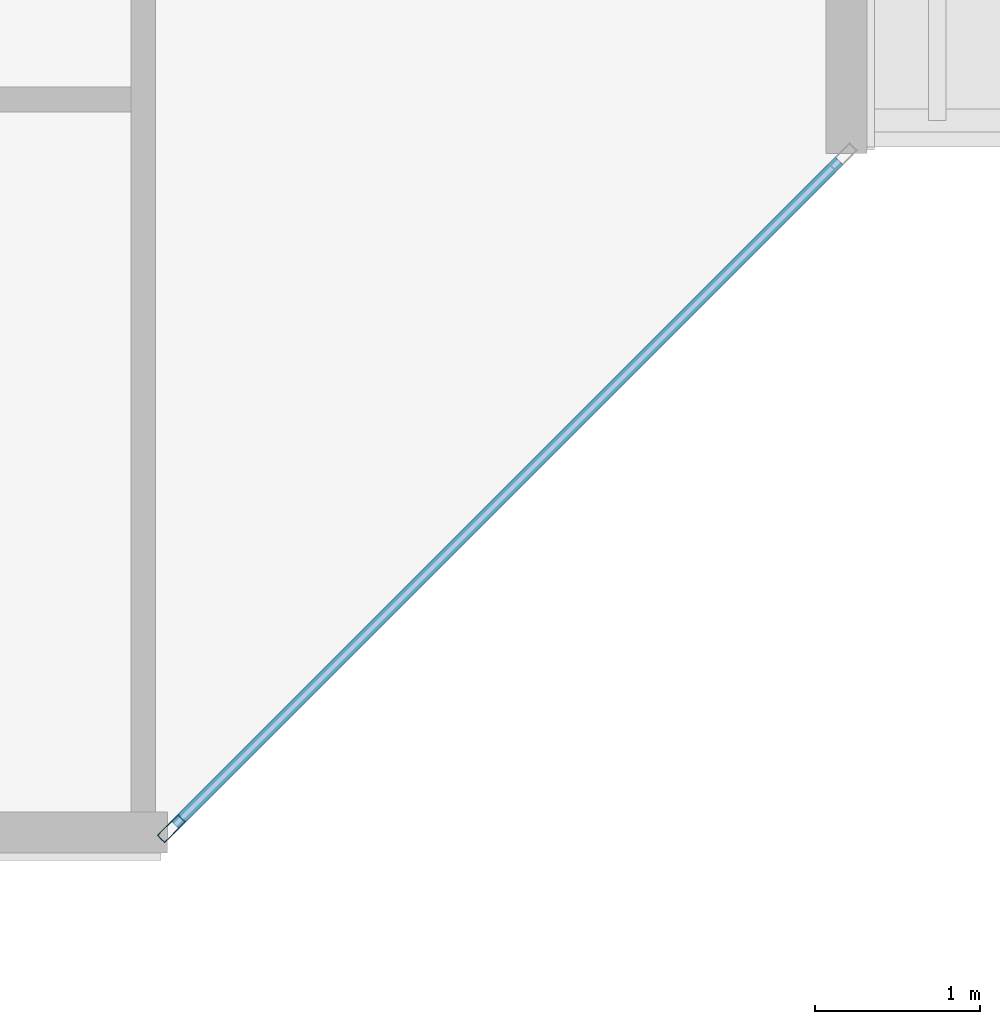
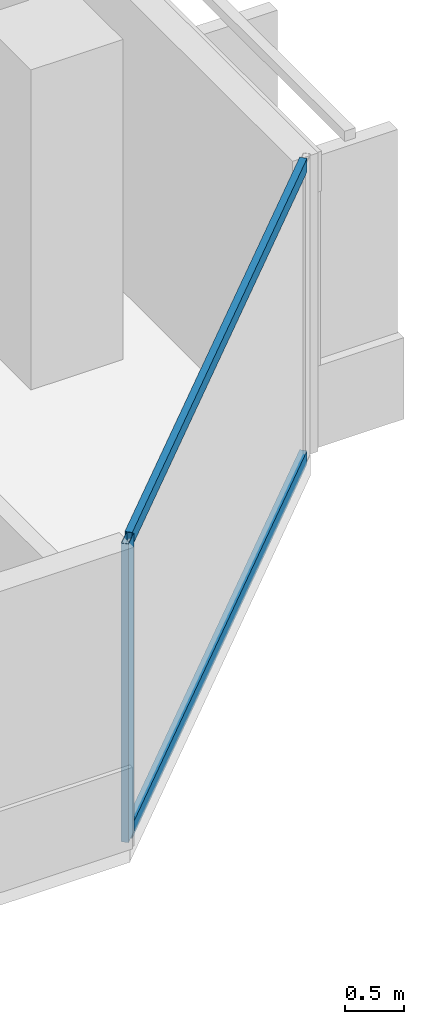
# One storey, part 13 of 29: 3 members, 1 element without a shape of its own.
"""IFC4 building model written with IfcOpenShell, lengths in metres."""

from ifc_helpers import new_model, si_unit, direction, frame, origin, origin_2d, place, context, subcontext, project, spatial, hollow_rectangle, extrude, material, layer, layer_set, material_profile, profile_set, type_object, element, aggregate, save


model = new_model("IFC4")

# Units and contexts
model_context = context("Model", 3, precision=1e-05, world=origin(), true_north=direction((0.0, 1.0)))
body_context = subcontext(model_context, "Body", "Model", "MODEL_VIEW")
ifc_project = project(units=[si_unit("LENGTHUNIT", "METRE"), si_unit("AREAUNIT", "SQUARE_METRE"), si_unit("VOLUMEUNIT", "CUBIC_METRE"), si_unit("PLANEANGLEUNIT", "RADIAN"), si_unit("MASSUNIT", "GRAM", prefix="KILO")], contexts=[model_context])

# Site, building, storey
site_placement = place(None, origin())
site = spatial("IfcSite", under=ifc_project, at=site_placement, CompositionType="ELEMENT")
building_placement = place(site_placement, origin())
building = spatial("IfcBuilding", under=site, at=building_placement, Name="Tanjung Sevakor Pilgrim Tower", CompositionType="ELEMENT")
storey_placement = place(building_placement, frame((0.0, 0.0, 148.5)))
storey = spatial("IfcBuildingStorey", under=building, at=storey_placement, Name="L41", CompositionType="ELEMENT", Elevation=148.5)

# Curtain wall, members
ifc_material_1 = material(Name="Aluminium 6063-T6 and Low-E Glass", Category="aluminium")
ifc_layer = layer(ifc_material_1, 0.179931640625)
ifc_layer_set = layer_set([ifc_layer], Name="CW-SYS-CHAM")
curtain_wall_type = type_object("IfcCurtainWallType", Name="CW-SYS-CHAM", PredefinedType="NOTDEFINED", material=ifc_layer_set)
curtain_wall_placement = place(storey_placement, origin())
curtain_wall = element("IfcCurtainWall", 1, at=curtain_wall_placement, inside=storey, type_object=curtain_wall_type, Name="L41 Curtain Wall CW-CHM-L41-MAIN-5", PredefinedType="NOTDEFINED")
ifc_material_2 = material(Name="Aluminium 6063-T6", Category="aluminium")
ifc_material_profile_1 = material_profile(ifc_material_2, hollow_rectangle(XDim=0.06494140625, YDim=0.179931640625, WallThickness=0.00390625, at=origin_2d()))
ifc_profile_set_1 = profile_set([ifc_material_profile_1], Name="Aluminium 6063-T6")
member_type_1 = type_object("IfcMemberType", Name="TYPE-CWM-1", PredefinedType="MULLION", material=ifc_profile_set_1)
member_1_placement = place(storey_placement, frame((95.771240234375, 12.048095703125, 0.0), z_axis=(0.0, 0.0, 1.0), x_axis=(-0.707106781187, 0.707106781187, 0.0)))
member_1 = element("IfcMember", 2, at=member_1_placement, type_object=member_type_1, Name="CW-CHM mullion 1", PredefinedType="MULLION", context=body_context, shape_type="SweptSolid", body=[
    extrude(hollow_rectangle(XDim=0.06494140625, YDim=0.179931640625, WallThickness=0.00390625, at=origin_2d()), origin(), (0.0, 0.0, 1.0), 3.080078125),
])
ifc_material_3 = material(Name="Aluminium 6063-T6", Category="aluminium")
ifc_material_profile_2 = material_profile(ifc_material_3, hollow_rectangle(XDim=0.06494140625, YDim=0.139892578125, WallThickness=0.00390625, at=origin_2d()))
ifc_profile_set_2 = profile_set([ifc_material_profile_2], Name="Aluminium 6063-T6")
member_type_2 = type_object("IfcMemberType", Name="TYPE-CWT-1", PredefinedType="USERDEFINED", material=ifc_profile_set_2)
member_2_placement = place(storey_placement, frame((95.794189453125, 12.071044921875, 0.032470703125), z_axis=(0.707106781187, 0.707106781187, 0.0), x_axis=(-0.707106781187, 0.707106781187, 0.0)))
member_2 = element("IfcMember", 3, at=member_2_placement, type_object=member_type_2, Name="CW-CHM transom 1.1", ObjectType="TRANSOM", PredefinedType="USERDEFINED", context=body_context, shape_type="SweptSolid", body=[
    extrude(hollow_rectangle(XDim=0.06494140625, YDim=0.139892578125, WallThickness=0.00390625, at=origin_2d()), origin(), (0.0, 0.0, 1.0), 5.706298828125),
])
member_3_placement = place(storey_placement, frame((95.794189453125, 12.071044921875, 3.047607421875), z_axis=(0.707106781187, 0.707106781187, 0.0), x_axis=(-0.707106781187, 0.707106781187, 0.0)))
member_3 = element("IfcMember", 4, at=member_3_placement, type_object=member_type_2, Name="CW-CHM transom 1.2", ObjectType="TRANSOM", PredefinedType="USERDEFINED", context=body_context, shape_type="SweptSolid", body=[
    extrude(hollow_rectangle(XDim=0.06494140625, YDim=0.139892578125, WallThickness=0.00390625, at=origin_2d()), origin(), (0.0, 0.0, 1.0), 5.706298828125),
])
aggregate(curtain_wall, [member_1, member_2, member_3])

save(model, "model.ifc")
